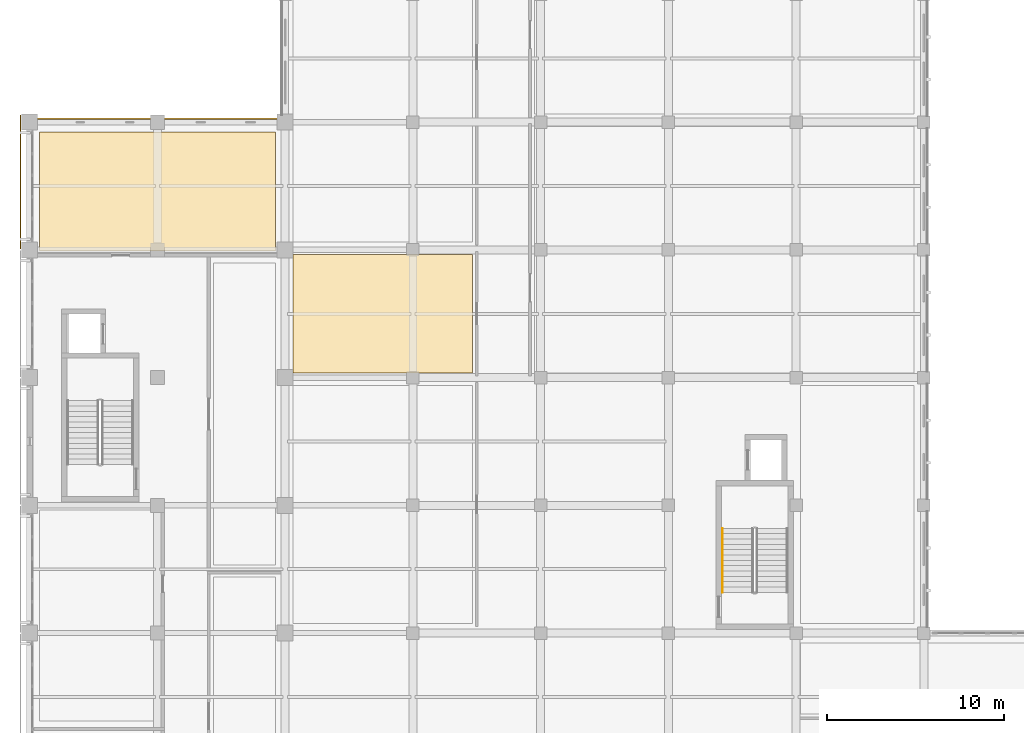
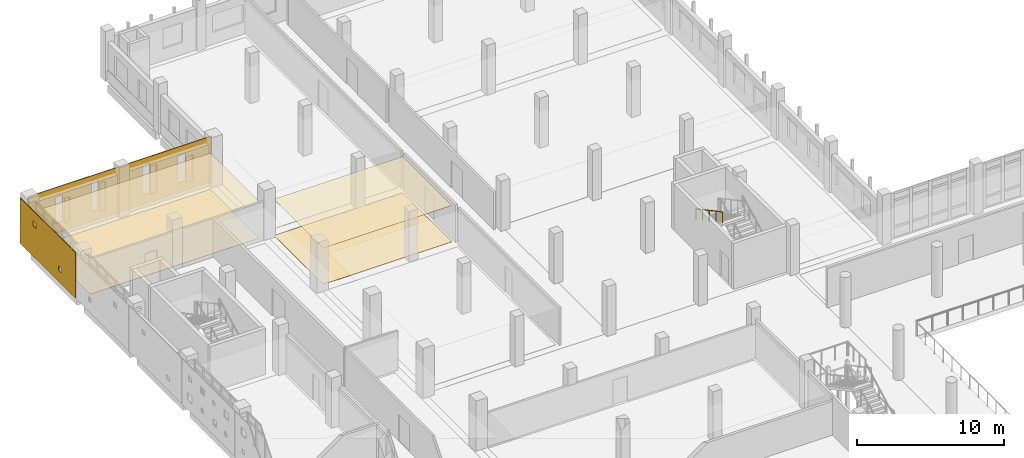
# One storey, part 52 of 57: 6 coverings, 1 railing.
"""IFC4 building model written with IfcOpenShell, lengths in metres."""

from ifc_helpers import new_model, si_unit, direction, frame, origin, origin_2d, place, context, subcontext, project, spatial, polyline, circle, outline, extrude, material, layer, layer_set, type_object, element, save


model = new_model("IFC4")

# Units and contexts
model_context = context("Model", 3, precision=1e-05, world=origin(), true_north=direction((0.0, 1.0)))
body_context = subcontext(model_context, "Body", "Model", "MODEL_VIEW")
ifc_project = project(units=[si_unit("LENGTHUNIT", "METRE"), si_unit("AREAUNIT", "SQUARE_METRE"), si_unit("VOLUMEUNIT", "CUBIC_METRE"), si_unit("PLANEANGLEUNIT", "RADIAN"), si_unit("MASSUNIT", "GRAM", prefix="KILO")], contexts=[model_context])

# Site, building, storey
site_placement = place(None, origin())
site = spatial("IfcSite", under=ifc_project, at=site_placement, CompositionType="ELEMENT")
building_placement = place(site_placement, origin())
building = spatial("IfcBuilding", under=site, at=building_placement, Name="Valkovuoma Quantum and Materials Research Institute", CompositionType="ELEMENT")
storey_placement = place(building_placement, frame((0.0, 0.0, 4.800048828125)))
storey = spatial("IfcBuildingStorey", under=building, at=storey_placement, Name="L01", CompositionType="ELEMENT", Elevation=4.800048828125)

# Coverings
ifc_material_1 = material(Name="Cleanable acoustic mineral-fibre suspended ceiling", Category="masonry")
ifc_layer_1 = layer(ifc_material_1, 0.02490234375)
ifc_layer_set_1 = layer_set([ifc_layer_1], Name="Cleanable acoustic mineral-fibre suspended ceiling")
covering_type_1 = type_object("IfcCoveringType", Name="Cov-CEIL-01", PredefinedType="CEILING", material=ifc_layer_set_1)
covering_1_placement = place(storey_placement, frame((0.0, 0.0, 3.0)))
element("IfcCovering", 1, at=covering_1_placement, inside=storey, type_object=covering_type_1, Name="L01 acoustic ceiling 0028", PredefinedType="CEILING", context=body_context, shape_type="SweptSolid", body=[
    extrude(outline(polyline([(0.550048828125, 86.35009765625), (13.85009765625, 86.35009765625), (13.85009765625, 93.050048828125), (0.550048828125, 93.050048828125), (0.550048828125, 86.35009765625)])), origin(), (0.0, 0.0, 1.0), 0.02490234375),
])
covering_2_placement = place(storey_placement, frame((0.0, 0.0, 3.0)))
element("IfcCovering", 2, at=covering_2_placement, inside=storey, type_object=covering_type_1, Name="L01 acoustic ceiling 0041", PredefinedType="CEILING", context=body_context, shape_type="SweptSolid", body=[
    extrude(outline(polyline([(14.85009765625, 79.449951171875), (24.949951171875, 79.449951171875), (24.949951171875, 86.14990234375), (14.85009765625, 86.14990234375), (14.85009765625, 79.449951171875)])), origin(), (0.0, 0.0, 1.0), 0.02490234375),
])
ifc_material_2 = material(Name="Seamless dissipative laboratory resin flooring", Category="masonry")
ifc_layer_2 = layer(ifc_material_2, 0.014892578125)
ifc_layer_set_2 = layer_set([ifc_layer_2], Name="Seamless dissipative laboratory resin flooring")
covering_type_2 = type_object("IfcCoveringType", Name="Cov-FLOR-01", PredefinedType="FLOORING", material=ifc_layer_set_2)
covering_3_placement = place(storey_placement, origin())
element("IfcCovering", 3, at=covering_3_placement, inside=storey, type_object=covering_type_2, Name="L01 resin flooring 0028", PredefinedType="FLOORING", context=body_context, shape_type="SweptSolid", body=[
    extrude(outline(polyline([(0.550048828125, 86.35009765625), (13.85009765625, 86.35009765625), (13.85009765625, 93.050048828125), (0.550048828125, 93.050048828125), (0.550048828125, 86.35009765625)])), origin(), (0.0, 0.0, 1.0), 0.014892578125),
])
covering_4_placement = place(storey_placement, origin())
element("IfcCovering", 4, at=covering_4_placement, inside=storey, type_object=covering_type_2, Name="L01 resin flooring 0041", PredefinedType="FLOORING", context=body_context, shape_type="SweptSolid", body=[
    extrude(outline(polyline([(14.85009765625, 79.449951171875), (24.949951171875, 79.449951171875), (24.949951171875, 86.14990234375), (14.85009765625, 86.14990234375), (14.85009765625, 79.449951171875)])), origin(), (0.0, 0.0, 1.0), 0.014892578125),
])
ifc_material_3 = material(Name="White powder-coated aluminium architectural panel", Category="aluminium")
ifc_layer_3 = layer(ifc_material_3, 0.054931640625)
ifc_layer_set_3 = layer_set([ifc_layer_3], Name="White powder-coated aluminium architectural panel")
covering_type_3 = type_object("IfcCoveringType", Name="Cov-PERF-SPARSE", PredefinedType="CLADDING", material=ifc_layer_set_3)
covering_5_placement = place(storey_placement, frame((-0.52001953125, 86.4599609375, 0.02001953125), z_axis=(0.0, 0.0, 1.0), x_axis=(0.0, 1.0, 0.0)))
element("IfcCovering", 5, at=covering_5_placement, inside=storey, type_object=covering_type_3, Name="L01 graduated perforated white screen W-0012", PredefinedType="CLADDING", context=body_context, shape_type="SweptSolid", body=[
    extrude(outline(polyline([(0.0, 0.0), (7.52001953125, 0.0), (7.52001953125, 3.77001953125), (0.0, 3.77001953125), (0.0, 0.0)]), holes=[polyline([(1.864990234375, 0.902587890625), (1.864990234375, 1.302490234375), (2.264892578125, 1.302490234375), (2.264892578125, 0.902587890625), (1.864990234375, 0.902587890625)]), polyline([(5.375, 2.517578125), (5.375, 2.91748046875), (5.77490234375, 2.91748046875), (5.77490234375, 2.517578125), (5.375, 2.517578125)])]), frame((0.0, 0.02734375, 0.0), z_axis=(0.0, -1.0, 0.0), x_axis=(1.0, 0.0, 0.0)), (0.0, 0.0, 1.0), 0.054931640625),
])
ifc_material_4 = material(Name="White powder-coated aluminium architectural panel", Category="aluminium")
ifc_layer_4 = layer(ifc_material_4, 0.054931640625)
ifc_layer_set_4 = layer_set([ifc_layer_4], Name="White powder-coated aluminium architectural panel")
covering_type_4 = type_object("IfcCoveringType", Name="Cov-WHITE-01", PredefinedType="CLADDING", material=ifc_layer_set_4)
covering_6_placement = place(storey_placement, frame((0.0, 93.78759765625, 0.0), z_axis=(0.0, 0.0, 1.0), x_axis=(1.0, 0.0, 0.0)))
element("IfcCovering", 6, at=covering_6_placement, inside=storey, type_object=covering_type_4, Name="L01 north white slot-window end skin", PredefinedType="CLADDING", context=body_context, shape_type="SweptSolid", body=[
    extrude(outline(polyline([(0.0, 0.0), (14.39990234375, 0.0), (14.39990234375, 3.81005859375), (0.0, 3.81005859375), (0.0, 0.0)]), holes=[polyline([(2.155029296875, 0.830078125), (2.155029296875, 2.969970703125), (2.64501953125, 2.969970703125), (2.64501953125, 0.830078125), (2.155029296875, 0.830078125)]), polyline([(4.955078125, 0.830078125), (4.955078125, 3.27001953125), (5.445068359375, 3.27001953125), (5.445068359375, 0.830078125), (4.955078125, 0.830078125)]), polyline([(8.929931640625, 0.830078125), (8.929931640625, 3.27001953125), (9.469970703125, 3.27001953125), (9.469970703125, 0.830078125), (8.929931640625, 0.830078125)]), polyline([(11.705078125, 0.830078125), (11.705078125, 3.070068359375), (12.294921875, 3.070068359375), (12.294921875, 0.830078125), (11.705078125, 0.830078125)])]), frame((0.0, 0.02734375, 0.0), z_axis=(0.0, -1.0, 0.0), x_axis=(1.0, 0.0, 0.0)), (0.0, 0.0, 1.0), 0.054931640625),
])

# Railing
ifc_material_5 = material(Name="Brushed stainless steel handrail", Category="steel")
railing_type = type_object("IfcRailingType", Name="Rail-HR-ST", PredefinedType="HANDRAIL", material=ifc_material_5)
railing_placement = place(storey_placement, frame((39.050048828125, 70.699951171875, 2.239990234375)))
element("IfcRailing", 7, at=railing_placement, inside=storey, type_object=railing_type, Name="L01 ST-4 stair handrail 2", PredefinedType="HANDRAIL", context=body_context, shape_type="SweptSolid", body=[
    extrude(circle(Radius=0.02392578125, at=origin_2d()), frame((0.0, 0.0, 0.8759765625), z_axis=(0.0, -0.882352941176, 0.470588235294), x_axis=(1.0, 0.0, 0.0)), (0.0, 0.0, 1.0), 4.079833984375),
    extrude(circle(Radius=0.02099609375, at=origin_2d()), origin(), (0.0, 0.0, 1.0), 0.851806640625),
    extrude(circle(Radius=0.02099609375, at=origin_2d()), frame((0.0, -0.89990234375, 0.47998046875)), (0.0, 0.0, 1.0), 0.851806640625),
    extrude(circle(Radius=0.02099609375, at=origin_2d()), frame((0.0, -1.7998046875, 0.9599609375)), (0.0, 0.0, 1.0), 0.851806640625),
    extrude(circle(Radius=0.02099609375, at=origin_2d()), frame((0.0, -2.699951171875, 1.43994140625)), (0.0, 0.0, 1.0), 0.851806640625),
    extrude(circle(Radius=0.02099609375, at=origin_2d()), frame((0.0, -3.599853515625, 1.919921875)), (0.0, 0.0, 1.0), 0.851806640625),
])

save(model, "model.ifc")
